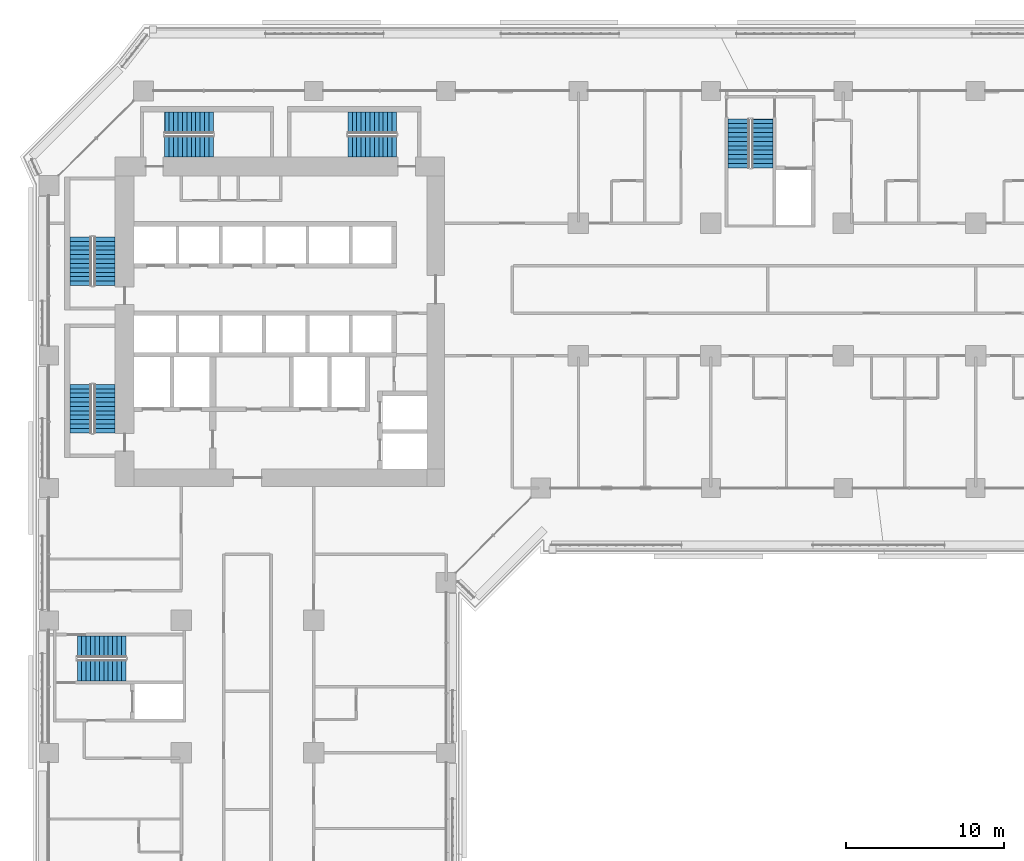
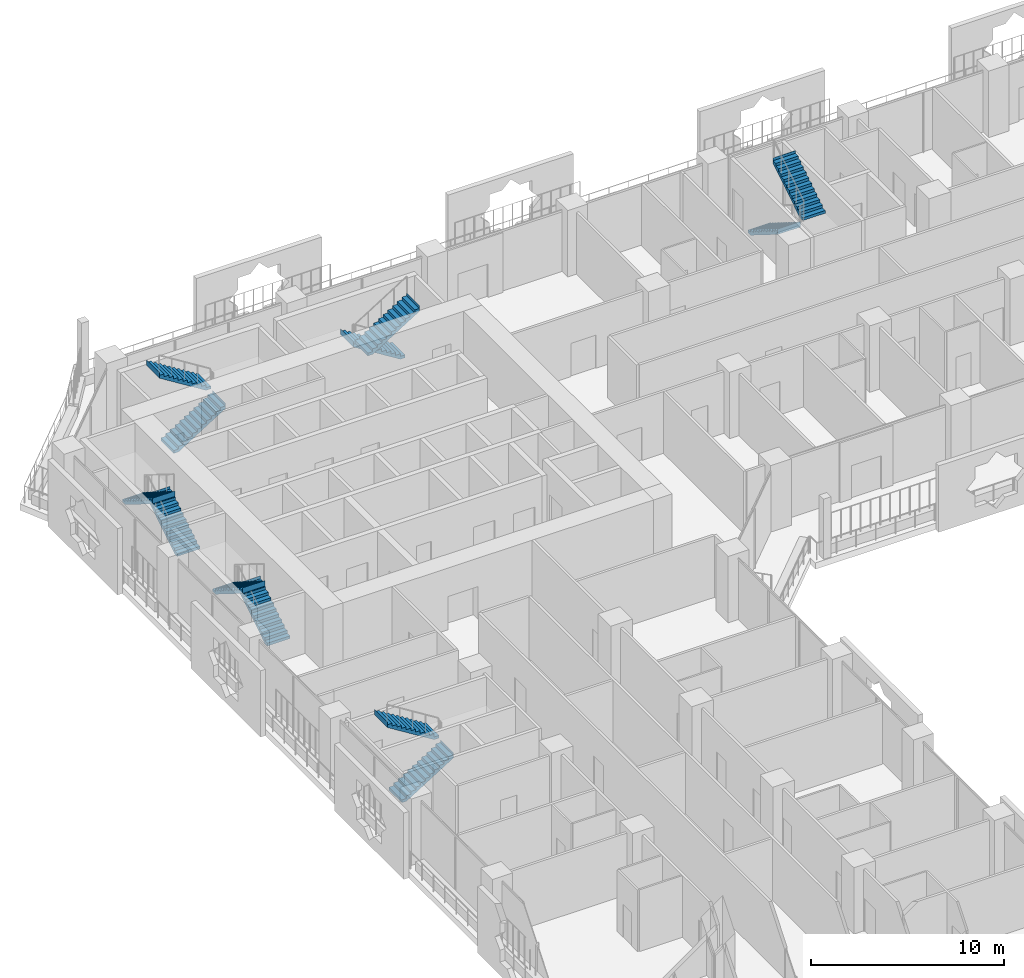
# One storey, part 20 of 28: 12 stair flights, 6 elements without a shape of their own.
"""IFC4 building model written with IfcOpenShell, lengths in metres."""

from ifc_helpers import new_model, si_unit, direction, frame, origin, place, context, subcontext, project, spatial, polyline, outline, extrude, material, type_object, element, aggregate, save


model = new_model("IFC4")

# Units and contexts
model_context = context("Model", 3, precision=1e-05, world=origin(), true_north=direction((0.0, 1.0)))
body_context = subcontext(model_context, "Body", "Model", "MODEL_VIEW")
ifc_project = project(units=[si_unit("LENGTHUNIT", "METRE"), si_unit("AREAUNIT", "SQUARE_METRE"), si_unit("VOLUMEUNIT", "CUBIC_METRE"), si_unit("PLANEANGLEUNIT", "RADIAN"), si_unit("MASSUNIT", "GRAM", prefix="KILO")], contexts=[model_context])

# Site, building, storey
site_placement = place(None, origin())
site = spatial("IfcSite", under=ifc_project, at=site_placement, CompositionType="ELEMENT")
building_placement = place(site_placement, origin())
building = spatial("IfcBuilding", under=site, at=building_placement, Name="Kawkab Arch Medical Tower", CompositionType="ELEMENT")
storey_placement = place(building_placement, frame((0.0, 0.0, 77.0)))
storey = spatial("IfcBuildingStorey", under=building, at=storey_placement, Name="L17", CompositionType="ELEMENT", Elevation=77.0)

# Stair, stair flights
ifc_material_1 = material(Name="Concrete C40/50", Category="concrete")
stair_type = type_object("IfcStairType", Name="Exit stair 1350", PredefinedType="HALF_TURN_STAIR", material=ifc_material_1)
placement = place(storey_placement, origin())
stair_1 = element("IfcStair", 1, at=placement, inside=storey, type_object=stair_type, Name="L17 Exit stair ST1", PredefinedType="HALF_TURN_STAIR")
ifc_material_2 = material(Name="Concrete C40/50", Category="concrete")
stair_flight_type = type_object("IfcStairFlightType", Name="Exit stair flight 1350", PredefinedType="STRAIGHT", material=ifc_material_2)
stair_flight_1_placement = place(storey_placement, frame((3.52490234375, -12.35009765625, 0.0), z_axis=(0.0, 0.0, 1.0), x_axis=(0.0, 1.0, 0.0)))
stair_flight_1 = element("IfcStairFlight", 2, at=stair_flight_1_placement, type_object=stair_flight_type, Name="ST1 flight 1", NumberOfRisers=12, NumberOfTreads=11, PredefinedType="STRAIGHT", RiserHeight=0.175, TreadLength=0.28, context=body_context, shape_type="SweptSolid", body=[
    extrude(outline(polyline([(-0.0029296875, 0.0), (-0.0029296875, 0.175048828125), (0.0, 0.175048828125), (0.280029296875, 0.175048828125), (0.280029296875, 0.35009765625), (0.56005859375, 0.35009765625), (0.56005859375, 0.52490234375), (0.840087890625, 0.52490234375), (0.840087890625, 0.699951171875), (1.1201171875, 0.699951171875), (1.1201171875, 0.875), (1.39990234375, 0.875), (1.39990234375, 1.050048828125), (1.679931640625, 1.050048828125), (1.679931640625, 1.22509765625), (1.9599609375, 1.22509765625), (1.9599609375, 1.39990234375), (2.239990234375, 1.39990234375), (2.239990234375, 1.574951171875), (2.52001953125, 1.574951171875), (2.52001953125, 1.75), (2.800048828125, 1.75), (2.800048828125, 1.925048828125), (3.080078125, 1.925048828125), (3.080078125, 2.10009765625), (3.0830078125, 2.10009765625), (3.0830078125, 1.748291015625), (3.080078125, 1.748291015625), (0.28271484375, 0.0), (-0.0029296875, 0.0)])), frame((0.0, 0.675048828125, 0.0), z_axis=(0.0, -1.0, 0.0), x_axis=(1.0, 0.0, 0.0)), (0.0, 0.0, 1.0), 1.35009765625),
])
stair_flight_2_placement = place(storey_placement, frame((2.02490234375, -9.27001953125, 2.10009765625), z_axis=(0.0, 0.0, 1.0), x_axis=(0.0, -1.0, 0.0)))
stair_flight_2 = element("IfcStairFlight", 3, at=stair_flight_2_placement, type_object=stair_flight_type, Name="ST1 flight 2", NumberOfRisers=12, NumberOfTreads=11, PredefinedType="STRAIGHT", RiserHeight=0.175, TreadLength=0.28, context=body_context, shape_type="SweptSolid", body=[
    extrude(outline(polyline([(-0.0029296875, 0.0), (-0.0029296875, 0.175048828125), (0.0, 0.175048828125), (0.280029296875, 0.175048828125), (0.280029296875, 0.35009765625), (0.56005859375, 0.35009765625), (0.56005859375, 0.52490234375), (0.840087890625, 0.52490234375), (0.840087890625, 0.699951171875), (1.1201171875, 0.699951171875), (1.1201171875, 0.875), (1.39990234375, 0.875), (1.39990234375, 1.050048828125), (1.679931640625, 1.050048828125), (1.679931640625, 1.22509765625), (1.9599609375, 1.22509765625), (1.9599609375, 1.39990234375), (2.239990234375, 1.39990234375), (2.239990234375, 1.574951171875), (2.52001953125, 1.574951171875), (2.52001953125, 1.75), (2.800048828125, 1.75), (2.800048828125, 1.925048828125), (3.080078125, 1.925048828125), (3.080078125, 2.10009765625), (3.0830078125, 2.10009765625), (3.0830078125, 1.748291015625), (3.080078125, 1.748291015625), (0.28271484375, 0.0), (-0.0029296875, 0.0)])), frame((0.0, 0.675048828125, 0.0), z_axis=(0.0, -1.0, 0.0), x_axis=(1.0, 0.0, 0.0)), (0.0, 0.0, 1.0), 1.35009765625),
])
aggregate(stair_1, [stair_flight_1, stair_flight_2])

stair_2 = element("IfcStair", 4, at=placement, inside=storey, type_object=stair_type, Name="L17 Exit stair ST2", PredefinedType="HALF_TURN_STAIR")
stair_flight_3_placement = place(storey_placement, frame((3.52490234375, -21.699951171875, 0.0), z_axis=(0.0, 0.0, 1.0), x_axis=(0.0, 1.0, 0.0)))
stair_flight_3 = element("IfcStairFlight", 5, at=stair_flight_3_placement, type_object=stair_flight_type, Name="ST2 flight 1", NumberOfRisers=12, NumberOfTreads=11, PredefinedType="STRAIGHT", RiserHeight=0.175, TreadLength=0.28, context=body_context, shape_type="SweptSolid", body=[
    extrude(outline(polyline([(-0.0029296875, 0.0), (-0.0029296875, 0.175048828125), (0.0, 0.175048828125), (0.280029296875, 0.175048828125), (0.280029296875, 0.35009765625), (0.56005859375, 0.35009765625), (0.56005859375, 0.52490234375), (0.840087890625, 0.52490234375), (0.840087890625, 0.699951171875), (1.1201171875, 0.699951171875), (1.1201171875, 0.875), (1.39990234375, 0.875), (1.39990234375, 1.050048828125), (1.679931640625, 1.050048828125), (1.679931640625, 1.22509765625), (1.9599609375, 1.22509765625), (1.9599609375, 1.39990234375), (2.239990234375, 1.39990234375), (2.239990234375, 1.574951171875), (2.52001953125, 1.574951171875), (2.52001953125, 1.75), (2.800048828125, 1.75), (2.800048828125, 1.925048828125), (3.080078125, 1.925048828125), (3.080078125, 2.10009765625), (3.0830078125, 2.10009765625), (3.0830078125, 1.748291015625), (3.080078125, 1.748291015625), (0.28271484375, 0.0), (-0.0029296875, 0.0)])), frame((0.0, 0.675048828125, 0.0), z_axis=(0.0, -1.0, 0.0), x_axis=(1.0, 0.0, 0.0)), (0.0, 0.0, 1.0), 1.35009765625),
])
stair_flight_4_placement = place(storey_placement, frame((2.02490234375, -18.6201171875, 2.10009765625), z_axis=(0.0, 0.0, 1.0), x_axis=(0.0, -1.0, 0.0)))
stair_flight_4 = element("IfcStairFlight", 6, at=stair_flight_4_placement, type_object=stair_flight_type, Name="ST2 flight 2", NumberOfRisers=12, NumberOfTreads=11, PredefinedType="STRAIGHT", RiserHeight=0.175, TreadLength=0.28, context=body_context, shape_type="SweptSolid", body=[
    extrude(outline(polyline([(-0.0029296875, 0.0), (-0.0029296875, 0.175048828125), (0.0, 0.175048828125), (0.280029296875, 0.175048828125), (0.280029296875, 0.35009765625), (0.56005859375, 0.35009765625), (0.56005859375, 0.52490234375), (0.840087890625, 0.52490234375), (0.840087890625, 0.699951171875), (1.1201171875, 0.699951171875), (1.1201171875, 0.875), (1.39990234375, 0.875), (1.39990234375, 1.050048828125), (1.679931640625, 1.050048828125), (1.679931640625, 1.22509765625), (1.9599609375, 1.22509765625), (1.9599609375, 1.39990234375), (2.239990234375, 1.39990234375), (2.239990234375, 1.574951171875), (2.52001953125, 1.574951171875), (2.52001953125, 1.75), (2.800048828125, 1.75), (2.800048828125, 1.925048828125), (3.080078125, 1.925048828125), (3.080078125, 2.10009765625), (3.0830078125, 2.10009765625), (3.0830078125, 1.748291015625), (3.080078125, 1.748291015625), (0.28271484375, 0.0), (-0.0029296875, 0.0)])), frame((0.0, 0.675048828125, 0.0), z_axis=(0.0, -1.0, 0.0), x_axis=(1.0, 0.0, 0.0)), (0.0, 0.0, 1.0), 1.35009765625),
])
aggregate(stair_2, [stair_flight_3, stair_flight_4])

stair_3 = element("IfcStair", 7, at=placement, inside=storey, type_object=stair_type, Name="L17 Exit stair ST3", PredefinedType="HALF_TURN_STAIR")
stair_flight_5_placement = place(storey_placement, frame((7.35009765625, -3.52490234375, 0.0), z_axis=(0.0, 0.0, 1.0), x_axis=(1.0, 0.0, 0.0)))
stair_flight_5 = element("IfcStairFlight", 8, at=stair_flight_5_placement, type_object=stair_flight_type, Name="ST3 flight 1", NumberOfRisers=12, NumberOfTreads=11, PredefinedType="STRAIGHT", RiserHeight=0.175, TreadLength=0.28, context=body_context, shape_type="SweptSolid", body=[
    extrude(outline(polyline([(-0.0029296875, 0.0), (-0.0029296875, 0.175048828125), (0.0, 0.175048828125), (0.280029296875, 0.175048828125), (0.280029296875, 0.35009765625), (0.56005859375, 0.35009765625), (0.56005859375, 0.52490234375), (0.840087890625, 0.52490234375), (0.840087890625, 0.699951171875), (1.1201171875, 0.699951171875), (1.1201171875, 0.875), (1.39990234375, 0.875), (1.39990234375, 1.050048828125), (1.679931640625, 1.050048828125), (1.679931640625, 1.22509765625), (1.9599609375, 1.22509765625), (1.9599609375, 1.39990234375), (2.239990234375, 1.39990234375), (2.239990234375, 1.574951171875), (2.52001953125, 1.574951171875), (2.52001953125, 1.75), (2.800048828125, 1.75), (2.800048828125, 1.925048828125), (3.080078125, 1.925048828125), (3.080078125, 2.10009765625), (3.0830078125, 2.10009765625), (3.0830078125, 1.748291015625), (3.080078125, 1.748291015625), (0.28271484375, 0.0), (-0.0029296875, 0.0)])), frame((0.0, 0.675048828125, 0.0), z_axis=(0.0, -1.0, 0.0), x_axis=(1.0, 0.0, 0.0)), (0.0, 0.0, 1.0), 1.35009765625),
])
stair_flight_6_placement = place(storey_placement, frame((10.429931640625, -2.02490234375, 2.10009765625), z_axis=(0.0, 0.0, 1.0), x_axis=(-1.0, 0.0, 0.0)))
stair_flight_6 = element("IfcStairFlight", 9, at=stair_flight_6_placement, type_object=stair_flight_type, Name="ST3 flight 2", NumberOfRisers=12, NumberOfTreads=11, PredefinedType="STRAIGHT", RiserHeight=0.175, TreadLength=0.28, context=body_context, shape_type="SweptSolid", body=[
    extrude(outline(polyline([(-0.0029296875, 0.0), (-0.0029296875, 0.175048828125), (0.0, 0.175048828125), (0.280029296875, 0.175048828125), (0.280029296875, 0.35009765625), (0.56005859375, 0.35009765625), (0.56005859375, 0.52490234375), (0.840087890625, 0.52490234375), (0.840087890625, 0.699951171875), (1.1201171875, 0.699951171875), (1.1201171875, 0.875), (1.39990234375, 0.875), (1.39990234375, 1.050048828125), (1.679931640625, 1.050048828125), (1.679931640625, 1.22509765625), (1.9599609375, 1.22509765625), (1.9599609375, 1.39990234375), (2.239990234375, 1.39990234375), (2.239990234375, 1.574951171875), (2.52001953125, 1.574951171875), (2.52001953125, 1.75), (2.800048828125, 1.75), (2.800048828125, 1.925048828125), (3.080078125, 1.925048828125), (3.080078125, 2.10009765625), (3.0830078125, 2.10009765625), (3.0830078125, 1.748291015625), (3.080078125, 1.748291015625), (0.28271484375, 0.0), (-0.0029296875, 0.0)])), frame((0.0, 0.675048828125, 0.0), z_axis=(0.0, -1.0, 0.0), x_axis=(1.0, 0.0, 0.0)), (0.0, 0.0, 1.0), 1.35009765625),
])
aggregate(stair_3, [stair_flight_5, stair_flight_6])

stair_4 = element("IfcStair", 10, at=placement, inside=storey, type_object=stair_type, Name="L17 Exit stair ST4", PredefinedType="HALF_TURN_STAIR")
stair_flight_7_placement = place(storey_placement, frame((22.050048828125, -2.02490234375, 0.0), z_axis=(0.0, 0.0, 1.0), x_axis=(-1.0, 0.0, 0.0)))
stair_flight_7 = element("IfcStairFlight", 11, at=stair_flight_7_placement, type_object=stair_flight_type, Name="ST4 flight 1", NumberOfRisers=12, NumberOfTreads=11, PredefinedType="STRAIGHT", RiserHeight=0.175, TreadLength=0.28, context=body_context, shape_type="SweptSolid", body=[
    extrude(outline(polyline([(-0.0029296875, 0.0), (-0.0029296875, 0.175048828125), (0.0, 0.175048828125), (0.280029296875, 0.175048828125), (0.280029296875, 0.35009765625), (0.56005859375, 0.35009765625), (0.56005859375, 0.52490234375), (0.840087890625, 0.52490234375), (0.840087890625, 0.699951171875), (1.1201171875, 0.699951171875), (1.1201171875, 0.875), (1.39990234375, 0.875), (1.39990234375, 1.050048828125), (1.679931640625, 1.050048828125), (1.679931640625, 1.22509765625), (1.9599609375, 1.22509765625), (1.9599609375, 1.39990234375), (2.239990234375, 1.39990234375), (2.239990234375, 1.574951171875), (2.52001953125, 1.574951171875), (2.52001953125, 1.75), (2.800048828125, 1.75), (2.800048828125, 1.925048828125), (3.080078125, 1.925048828125), (3.080078125, 2.10009765625), (3.0830078125, 2.10009765625), (3.0830078125, 1.748291015625), (3.080078125, 1.748291015625), (0.28271484375, 0.0), (-0.0029296875, 0.0)])), frame((0.0, 0.675048828125, 0.0), z_axis=(0.0, -1.0, 0.0), x_axis=(1.0, 0.0, 0.0)), (0.0, 0.0, 1.0), 1.35009765625),
])
stair_flight_8_placement = place(storey_placement, frame((18.969970703125, -3.52490234375, 2.10009765625), z_axis=(0.0, 0.0, 1.0), x_axis=(1.0, 0.0, 0.0)))
stair_flight_8 = element("IfcStairFlight", 12, at=stair_flight_8_placement, type_object=stair_flight_type, Name="ST4 flight 2", NumberOfRisers=12, NumberOfTreads=11, PredefinedType="STRAIGHT", RiserHeight=0.175, TreadLength=0.28, context=body_context, shape_type="SweptSolid", body=[
    extrude(outline(polyline([(-0.0029296875, 0.0), (-0.0029296875, 0.175048828125), (0.0, 0.175048828125), (0.280029296875, 0.175048828125), (0.280029296875, 0.35009765625), (0.56005859375, 0.35009765625), (0.56005859375, 0.52490234375), (0.840087890625, 0.52490234375), (0.840087890625, 0.699951171875), (1.1201171875, 0.699951171875), (1.1201171875, 0.875), (1.39990234375, 0.875), (1.39990234375, 1.050048828125), (1.679931640625, 1.050048828125), (1.679931640625, 1.22509765625), (1.9599609375, 1.22509765625), (1.9599609375, 1.39990234375), (2.239990234375, 1.39990234375), (2.239990234375, 1.574951171875), (2.52001953125, 1.574951171875), (2.52001953125, 1.75), (2.800048828125, 1.75), (2.800048828125, 1.925048828125), (3.080078125, 1.925048828125), (3.080078125, 2.10009765625), (3.0830078125, 2.10009765625), (3.0830078125, 1.748291015625), (3.080078125, 1.748291015625), (0.28271484375, 0.0), (-0.0029296875, 0.0)])), frame((0.0, 0.675048828125, 0.0), z_axis=(0.0, -1.0, 0.0), x_axis=(1.0, 0.0, 0.0)), (0.0, 0.0, 1.0), 1.35009765625),
])
aggregate(stair_4, [stair_flight_7, stair_flight_8])

stair_5 = element("IfcStair", 13, at=placement, inside=storey, type_object=stair_type, Name="L17 Exit stair ST5", PredefinedType="HALF_TURN_STAIR")
stair_flight_9_placement = place(storey_placement, frame((43.77490234375, -1.800048828125, 0.0), z_axis=(0.0, 0.0, 1.0), x_axis=(0.0, -1.0, 0.0)))
stair_flight_9 = element("IfcStairFlight", 14, at=stair_flight_9_placement, type_object=stair_flight_type, Name="ST5 flight 1", NumberOfRisers=12, NumberOfTreads=11, PredefinedType="STRAIGHT", RiserHeight=0.175, TreadLength=0.28, context=body_context, shape_type="SweptSolid", body=[
    extrude(outline(polyline([(-0.0029296875, 0.0), (-0.0029296875, 0.175048828125), (0.0, 0.175048828125), (0.280029296875, 0.175048828125), (0.280029296875, 0.35009765625), (0.56005859375, 0.35009765625), (0.56005859375, 0.52490234375), (0.840087890625, 0.52490234375), (0.840087890625, 0.699951171875), (1.1201171875, 0.699951171875), (1.1201171875, 0.875), (1.39990234375, 0.875), (1.39990234375, 1.050048828125), (1.679931640625, 1.050048828125), (1.679931640625, 1.22509765625), (1.9599609375, 1.22509765625), (1.9599609375, 1.39990234375), (2.239990234375, 1.39990234375), (2.239990234375, 1.574951171875), (2.52001953125, 1.574951171875), (2.52001953125, 1.75), (2.800048828125, 1.75), (2.800048828125, 1.925048828125), (3.080078125, 1.925048828125), (3.080078125, 2.10009765625), (3.0830078125, 2.10009765625), (3.0830078125, 1.748291015625), (3.080078125, 1.748291015625), (0.28271484375, 0.0), (-0.0029296875, 0.0)])), frame((0.0, 0.675048828125, 0.0), z_axis=(0.0, -1.0, 0.0), x_axis=(1.0, 0.0, 0.0)), (0.0, 0.0, 1.0), 1.35009765625),
])
stair_flight_10_placement = place(storey_placement, frame((45.27490234375, -4.8798828125, 2.10009765625), z_axis=(0.0, 0.0, 1.0), x_axis=(0.0, 1.0, 0.0)))
stair_flight_10 = element("IfcStairFlight", 15, at=stair_flight_10_placement, type_object=stair_flight_type, Name="ST5 flight 2", NumberOfRisers=12, NumberOfTreads=11, PredefinedType="STRAIGHT", RiserHeight=0.175, TreadLength=0.28, context=body_context, shape_type="SweptSolid", body=[
    extrude(outline(polyline([(-0.0029296875, 0.0), (-0.0029296875, 0.175048828125), (0.0, 0.175048828125), (0.280029296875, 0.175048828125), (0.280029296875, 0.35009765625), (0.56005859375, 0.35009765625), (0.56005859375, 0.52490234375), (0.840087890625, 0.52490234375), (0.840087890625, 0.699951171875), (1.1201171875, 0.699951171875), (1.1201171875, 0.875), (1.39990234375, 0.875), (1.39990234375, 1.050048828125), (1.679931640625, 1.050048828125), (1.679931640625, 1.22509765625), (1.9599609375, 1.22509765625), (1.9599609375, 1.39990234375), (2.239990234375, 1.39990234375), (2.239990234375, 1.574951171875), (2.52001953125, 1.574951171875), (2.52001953125, 1.75), (2.800048828125, 1.75), (2.800048828125, 1.925048828125), (3.080078125, 1.925048828125), (3.080078125, 2.10009765625), (3.0830078125, 2.10009765625), (3.0830078125, 1.748291015625), (3.080078125, 1.748291015625), (0.28271484375, 0.0), (-0.0029296875, 0.0)])), frame((0.0, 0.675048828125, 0.0), z_axis=(0.0, -1.0, 0.0), x_axis=(1.0, 0.0, 0.0)), (0.0, 0.0, 1.0), 1.35009765625),
])
aggregate(stair_5, [stair_flight_9, stair_flight_10])

stair_6 = element("IfcStair", 16, at=placement, inside=storey, type_object=stair_type, Name="L17 Exit stair ST6", PredefinedType="HALF_TURN_STAIR")
stair_flight_11_placement = place(storey_placement, frame((1.800048828125, -36.77490234375, 0.0), z_axis=(0.0, 0.0, 1.0), x_axis=(1.0, 0.0, 0.0)))
stair_flight_11 = element("IfcStairFlight", 17, at=stair_flight_11_placement, type_object=stair_flight_type, Name="ST6 flight 1", NumberOfRisers=12, NumberOfTreads=11, PredefinedType="STRAIGHT", RiserHeight=0.175, TreadLength=0.28, context=body_context, shape_type="SweptSolid", body=[
    extrude(outline(polyline([(-0.0029296875, 0.0), (-0.0029296875, 0.175048828125), (0.0, 0.175048828125), (0.280029296875, 0.175048828125), (0.280029296875, 0.35009765625), (0.56005859375, 0.35009765625), (0.56005859375, 0.52490234375), (0.840087890625, 0.52490234375), (0.840087890625, 0.699951171875), (1.1201171875, 0.699951171875), (1.1201171875, 0.875), (1.39990234375, 0.875), (1.39990234375, 1.050048828125), (1.679931640625, 1.050048828125), (1.679931640625, 1.22509765625), (1.9599609375, 1.22509765625), (1.9599609375, 1.39990234375), (2.239990234375, 1.39990234375), (2.239990234375, 1.574951171875), (2.52001953125, 1.574951171875), (2.52001953125, 1.75), (2.800048828125, 1.75), (2.800048828125, 1.925048828125), (3.080078125, 1.925048828125), (3.080078125, 2.10009765625), (3.0830078125, 2.10009765625), (3.0830078125, 1.748291015625), (3.080078125, 1.748291015625), (0.28271484375, 0.0), (-0.0029296875, 0.0)])), frame((0.0, 0.675048828125, 0.0), z_axis=(0.0, -1.0, 0.0), x_axis=(1.0, 0.0, 0.0)), (0.0, 0.0, 1.0), 1.35009765625),
])
stair_flight_12_placement = place(storey_placement, frame((4.8798828125, -35.27490234375, 2.10009765625), z_axis=(0.0, 0.0, 1.0), x_axis=(-1.0, 0.0, 0.0)))
stair_flight_12 = element("IfcStairFlight", 18, at=stair_flight_12_placement, type_object=stair_flight_type, Name="ST6 flight 2", NumberOfRisers=12, NumberOfTreads=11, PredefinedType="STRAIGHT", RiserHeight=0.175, TreadLength=0.28, context=body_context, shape_type="SweptSolid", body=[
    extrude(outline(polyline([(-0.0029296875, 0.0), (-0.0029296875, 0.175048828125), (0.0, 0.175048828125), (0.280029296875, 0.175048828125), (0.280029296875, 0.35009765625), (0.56005859375, 0.35009765625), (0.56005859375, 0.52490234375), (0.840087890625, 0.52490234375), (0.840087890625, 0.699951171875), (1.1201171875, 0.699951171875), (1.1201171875, 0.875), (1.39990234375, 0.875), (1.39990234375, 1.050048828125), (1.679931640625, 1.050048828125), (1.679931640625, 1.22509765625), (1.9599609375, 1.22509765625), (1.9599609375, 1.39990234375), (2.239990234375, 1.39990234375), (2.239990234375, 1.574951171875), (2.52001953125, 1.574951171875), (2.52001953125, 1.75), (2.800048828125, 1.75), (2.800048828125, 1.925048828125), (3.080078125, 1.925048828125), (3.080078125, 2.10009765625), (3.0830078125, 2.10009765625), (3.0830078125, 1.748291015625), (3.080078125, 1.748291015625), (0.28271484375, 0.0), (-0.0029296875, 0.0)])), frame((0.0, 0.675048828125, 0.0), z_axis=(0.0, -1.0, 0.0), x_axis=(1.0, 0.0, 0.0)), (0.0, 0.0, 1.0), 1.35009765625),
])
aggregate(stair_6, [stair_flight_11, stair_flight_12])

save(model, "model.ifc")
